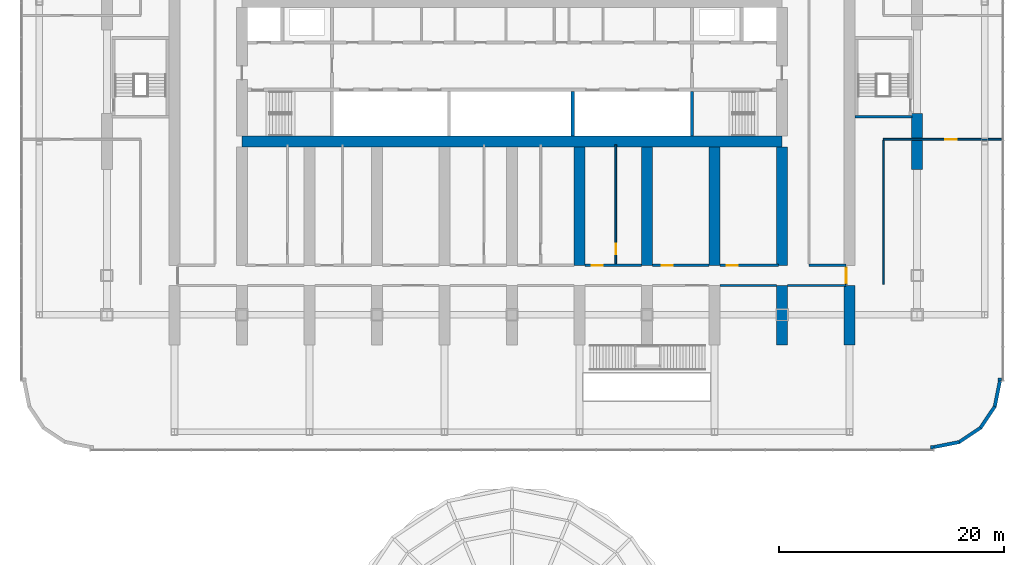
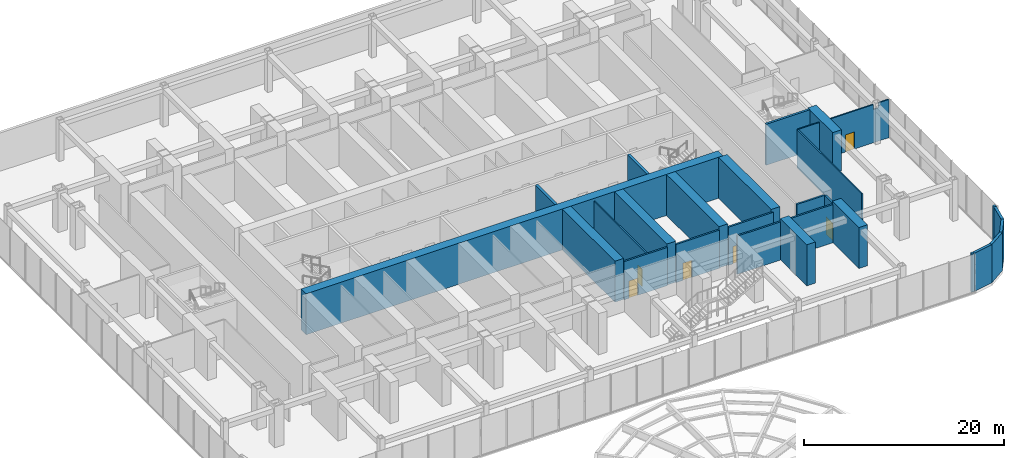
# One storey, part 15 of 37: 27 walls, 6 doors, 6 openings.
"""IFC4 building model written with IfcOpenShell, lengths in metres."""

from ifc_helpers import new_model, si_unit, direction, frame, frame_2d, origin, place, context, subcontext, project, spatial, polyline, rectangle, outline, extrude, material, layer, layer_set, type_object, element, fill, save


model = new_model("IFC4")

# Units and contexts
model_context = context("Model", 3, precision=1e-05, world=origin(), true_north=direction((0.0, 1.0)))
body_context = subcontext(model_context, "Body", "Model", "MODEL_VIEW")
ifc_project = project(units=[si_unit("LENGTHUNIT", "METRE"), si_unit("AREAUNIT", "SQUARE_METRE"), si_unit("VOLUMEUNIT", "CUBIC_METRE"), si_unit("PLANEANGLEUNIT", "RADIAN"), si_unit("MASSUNIT", "GRAM", prefix="KILO")], contexts=[model_context])

# Site, building, storey
site_placement = place(None, origin())
site = spatial("IfcSite", under=ifc_project, at=site_placement, CompositionType="ELEMENT")
building_placement = place(site_placement, origin())
building = spatial("IfcBuilding", under=site, at=building_placement, Name="Orbita Commons", CompositionType="ELEMENT")
storey_placement = place(building_placement, frame((0.0, 0.0, 6.0)))
storey = spatial("IfcBuildingStorey", under=building, at=storey_placement, Name="L01", CompositionType="ELEMENT", Elevation=6.0)

# Walls
ifc_material_1 = material(Name="Concrete C50/60", Category="concrete")
ifc_layer_1 = layer(ifc_material_1, 0.300048828125)
ifc_layer_set_1 = layer_set([ifc_layer_1], Name="Concrete C50/60")
wall_type_1 = type_object("IfcWallType", Name="Core inner wall 300 C50/60", PredefinedType="SHEAR", material=ifc_layer_set_1)
for number, where, z_axis, x_axis, name in (
    (1, (58.0, 26.300048828125, 0.0), (0.0, 0.0, 1.0), (0.0, 1.0, 0.0), "Stair S2 wall L01"),
    (2, (47.39990234375, 26.300048828125, 0.0), (0.0, 0.0, 1.0), (0.0, 1.0, 0.0), "Hoistway division wall L01"),
):
    element("IfcWall", number, at=place(storey_placement, frame(where, z_axis=z_axis, x_axis=x_axis)), inside=storey, type_object=wall_type_1, Name=name, PredefinedType="SHEAR", context=body_context, shape_type="SweptSolid", body=[
        extrude(rectangle(XDim=3.949951171875, YDim=0.300048828125, at=frame_2d((1.97509765625, 0.0))), origin(), (0.0, 0.0, 1.0), 5.0),
    ])
ifc_material_2 = material(Name="Concrete C50/60", Category="concrete")
ifc_layer_2 = layer(ifc_material_2, 1.0)
ifc_layer_set_2 = layer_set([ifc_layer_2], Name="Concrete C50/60")
wall_type_2 = type_object("IfcWallType", Name="Core wall 1000 C50/60", PredefinedType="SHEAR", material=ifc_layer_set_2)
wall_1_placement = place(storey_placement, frame((18.0, 25.800048828125, 0.0), z_axis=(0.0, 0.0, 1.0), x_axis=(1.0, 0.0, 0.0)))
element("IfcWall", 3, at=wall_1_placement, inside=storey, type_object=wall_type_2, Name="Core spine wall south L01", PredefinedType="SHEAR", context=body_context, shape_type="SweptSolid", body=[
    extrude(rectangle(XDim=48.0, YDim=1.0, at=frame_2d((24.0, 0.0))), origin(), (0.0, 0.0, 1.0), 5.0),
])
ifc_material_3 = material(Name="Concrete blockwork", Category="masonry")
ifc_layer_3 = layer(ifc_material_3, 0.199951171875)
ifc_layer_set_3 = layer_set([ifc_layer_3], Name="Concrete blockwork")
wall_type_3 = type_object("IfcWallType", Name="Corridor wall 200 blockwork", PredefinedType="SOLIDWALL", material=ifc_layer_set_3)
wall_2_placement = place(storey_placement, frame((60.5, 13.0, 0.0), z_axis=(0.0, 0.0, 1.0), x_axis=(1.0, 0.0, 0.0)))
element("IfcWall", 4, at=wall_2_placement, inside=storey, type_object=wall_type_3, Name="Corridor wall 200 blockwork L01", PredefinedType="SOLIDWALL", context=body_context, shape_type="SweptSolid", body=[
    extrude(rectangle(XDim=5.0, YDim=0.199951171875, at=frame_2d((2.5, 0.0))), origin(), (0.0, 0.0, 1.0), 4.64990234375),
])
wall_3_placement = place(storey_placement, frame((66.5, 13.0, 0.0), z_axis=(0.0, 0.0, 1.0), x_axis=(1.0, 0.0, 0.0)))
element("IfcWall", 5, at=wall_3_placement, inside=storey, type_object=wall_type_3, Name="Corridor wall 200 blockwork L01", PredefinedType="SOLIDWALL", context=body_context, shape_type="SweptSolid", body=[
    extrude(rectangle(XDim=5.199951171875, YDim=0.199951171875, at=frame_2d((2.60009765625, 0.0))), origin(), (0.0, 0.0, 1.0), 4.64990234375),
])
wall_4_placement = place(storey_placement, frame((68.39990234375, 14.800048828125, 0.0), z_axis=(0.0, 0.0, 1.0), x_axis=(1.0, 0.0, 0.0)))
element("IfcWall", 6, at=wall_4_placement, inside=storey, type_object=wall_type_3, Name="Corridor wall 200 blockwork L01", PredefinedType="SOLIDWALL", context=body_context, shape_type="SweptSolid", body=[
    extrude(rectangle(XDim=3.300048828125, YDim=0.199951171875, at=frame_2d((1.64990234375, 0.0))), origin(), (0.0, 0.0, 1.0), 4.64990234375),
])

# Wall, opening, door
wall_5_placement = place(storey_placement, frame((48.5, 14.800048828125, 0.0), z_axis=(0.0, 0.0, 1.0), x_axis=(1.0, 0.0, 0.0)))
wall_5 = element("IfcWall", 7, at=wall_5_placement, inside=storey, type_object=wall_type_3, Name="Corridor wall 200 blockwork L01", PredefinedType="SOLIDWALL", context=body_context, shape_type="SweptSolid", body=[
    extrude(rectangle(XDim=5.0, YDim=0.199951171875, at=frame_2d((2.5, 0.0))), origin(), (0.0, 0.0, 1.0), 4.64990234375),
])
opening_1_placement = place(wall_5_placement, frame((0.574951171875, 0.0, 0.0)))
opening_1 = element("IfcOpeningElement", 8, at=opening_1_placement, cuts=wall_5, Name="Opening D06", PredefinedType="OPENING", context=body_context, shape_type="SweptSolid", body=[
    extrude(rectangle(XDim=1.0, YDim=2.10009765625, at=frame_2d((0.5, 1.050048828125))), frame((0.0, 0.10986328125, 0.0), z_axis=(0.0, -1.0, 0.0), x_axis=(1.0, 0.0, 0.0)), (0.0, 0.0, 1.0), 0.219970703125),
])
ifc_material_4 = material(Name="Steel-faced fire door leaf", Category="steel")
door_type_1 = type_object("IfcDoorType", Name="Corridor door 20 min 1000x2100", OperationType="SINGLE_SWING_LEFT", PredefinedType="DOOR", material=ifc_material_4)
door_1_placement = place(opening_1_placement, origin())
door_1 = element("IfcDoor", 9, at=door_1_placement, inside=storey, type_object=door_type_1, Name="Room door", OperationType="SINGLE_SWING_LEFT", OverallHeight=2.10009765625, OverallWidth=1.0, PredefinedType="DOOR", context=body_context, shape_type="SweptSolid", body=[
    extrude(rectangle(XDim=1.0, YDim=2.10009765625, at=frame_2d((0.5, 1.050048828125))), frame((0.0, 0.02490234375, 0.0), z_axis=(0.0, -1.0, 0.0), x_axis=(1.0, 0.0, 0.0)), (0.0, 0.0, 1.0), 0.050048828125),
])
fill(opening_1, door_1)

wall_6_placement = place(storey_placement, frame((54.5, 14.800048828125, 0.0), z_axis=(0.0, 0.0, 1.0), x_axis=(1.0, 0.0, 0.0)))
wall_6 = element("IfcWall", 10, at=wall_6_placement, inside=storey, type_object=wall_type_3, Name="Corridor wall 200 blockwork L01", PredefinedType="SOLIDWALL", context=body_context, shape_type="SweptSolid", body=[
    extrude(rectangle(XDim=5.0, YDim=0.199951171875, at=frame_2d((2.5, 0.0))), origin(), (0.0, 0.0, 1.0), 4.64990234375),
])
opening_2_placement = place(wall_6_placement, frame((0.800048828125, 0.0, 0.0)))
opening_2 = element("IfcOpeningElement", 11, at=opening_2_placement, cuts=wall_6, Name="Opening D06", PredefinedType="OPENING", context=body_context, shape_type="SweptSolid", body=[
    extrude(rectangle(XDim=1.0, YDim=2.10009765625, at=frame_2d((0.5, 1.050048828125))), frame((0.0, 0.10986328125, 0.0), z_axis=(0.0, -1.0, 0.0), x_axis=(1.0, 0.0, 0.0)), (0.0, 0.0, 1.0), 0.219970703125),
])
door_2_placement = place(opening_2_placement, origin())
door_2 = element("IfcDoor", 12, at=door_2_placement, inside=storey, type_object=door_type_1, Name="Room door", OperationType="SINGLE_SWING_LEFT", OverallHeight=2.10009765625, OverallWidth=1.0, PredefinedType="DOOR", context=body_context, shape_type="SweptSolid", body=[
    extrude(rectangle(XDim=1.0, YDim=2.10009765625, at=frame_2d((0.5, 1.050048828125))), frame((0.0, 0.02490234375, 0.0), z_axis=(0.0, -1.0, 0.0), x_axis=(1.0, 0.0, 0.0)), (0.0, 0.0, 1.0), 0.050048828125),
])
fill(opening_2, door_2)

wall_7_placement = place(storey_placement, frame((60.5, 14.800048828125, 0.0), z_axis=(0.0, 0.0, 1.0), x_axis=(1.0, 0.0, 0.0)))
wall_7 = element("IfcWall", 13, at=wall_7_placement, inside=storey, type_object=wall_type_3, Name="Corridor wall 200 blockwork L01", PredefinedType="SOLIDWALL", context=body_context, shape_type="SweptSolid", body=[
    extrude(rectangle(XDim=5.199951171875, YDim=0.199951171875, at=frame_2d((2.60009765625, 0.0))), origin(), (0.0, 0.0, 1.0), 4.64990234375),
])
opening_3_placement = place(wall_7_placement, frame((0.574951171875, 0.0, 0.0)))
opening_3 = element("IfcOpeningElement", 14, at=opening_3_placement, cuts=wall_7, Name="Opening D06", PredefinedType="OPENING", context=body_context, shape_type="SweptSolid", body=[
    extrude(rectangle(XDim=1.0, YDim=2.10009765625, at=frame_2d((0.5, 1.050048828125))), frame((0.0, 0.10986328125, 0.0), z_axis=(0.0, -1.0, 0.0), x_axis=(1.0, 0.0, 0.0)), (0.0, 0.0, 1.0), 0.219970703125),
])
door_3_placement = place(opening_3_placement, origin())
door_3 = element("IfcDoor", 15, at=door_3_placement, inside=storey, type_object=door_type_1, Name="Room door", OperationType="SINGLE_SWING_LEFT", OverallHeight=2.10009765625, OverallWidth=1.0, PredefinedType="DOOR", context=body_context, shape_type="SweptSolid", body=[
    extrude(rectangle(XDim=1.0, YDim=2.10009765625, at=frame_2d((0.5, 1.050048828125))), frame((0.0, 0.02490234375, 0.0), z_axis=(0.0, -1.0, 0.0), x_axis=(1.0, 0.0, 0.0)), (0.0, 0.0, 1.0), 0.050048828125),
])
fill(opening_3, door_3)

wall_8_placement = place(storey_placement, frame((71.699951171875, 13.10009765625, 0.0), z_axis=(0.0, 0.0, 1.0), x_axis=(0.0, 1.0, 0.0)))
wall_8 = element("IfcWall", 16, at=wall_8_placement, inside=storey, type_object=wall_type_3, Name="Corridor wall 200 blockwork L01", PredefinedType="SOLIDWALL", context=body_context, shape_type="SweptSolid", body=[
    extrude(rectangle(XDim=1.599853515625, YDim=0.199951171875, at=frame_2d((0.7998046875, 0.0))), origin(), (0.0, 0.0, 1.0), 4.64990234375),
])
opening_4_placement = place(wall_8_placement, frame((0.10009765625, 0.0, 0.0)))
opening_4 = element("IfcOpeningElement", 17, at=opening_4_placement, cuts=wall_8, Name="Opening D08", PredefinedType="OPENING", context=body_context, shape_type="SweptSolid", body=[
    extrude(rectangle(XDim=1.39990234375, YDim=2.10009765625, at=frame_2d((0.699951171875, 1.050048828125))), frame((0.0, 0.10986328125, 0.0), z_axis=(0.0, -1.0, 0.0), x_axis=(1.0, 0.0, 0.0)), (0.0, 0.0, 1.0), 0.219970703125),
])
ifc_material_5 = material(Name="Steel-faced fire door leaf", Category="steel")
door_type_2 = type_object("IfcDoorType", Name="Double corridor door 20 min 1400x2100", OperationType="DOUBLE_DOOR_SINGLE_SWING", PredefinedType="DOOR", material=ifc_material_5)
door_4_placement = place(opening_4_placement, origin())
door_4 = element("IfcDoor", 18, at=door_4_placement, inside=storey, type_object=door_type_2, Name="End room doors", OperationType="DOUBLE_DOOR_SINGLE_SWING", OverallHeight=2.10009765625, OverallWidth=1.39990234375, PredefinedType="DOOR", context=body_context, shape_type="SweptSolid", body=[
    extrude(rectangle(XDim=1.39990234375, YDim=2.10009765625, at=frame_2d((0.699951171875, 1.050048828125))), frame((0.0, 0.02490234375, 0.0), z_axis=(0.0, -1.0, 0.0), x_axis=(1.0, 0.0, 0.0)), (0.0, 0.0, 1.0), 0.050048828125),
])
fill(opening_4, door_4)

# Walls
ifc_material_6 = material(Name="Concrete C50/60", Category="concrete")
ifc_layer_4 = layer(ifc_material_6, 1.0)
ifc_layer_set_4 = layer_set([ifc_layer_4], Name="Concrete C50/60")
wall_type_4 = type_object("IfcWallType", Name="Cross wall 1000 C50/60", PredefinedType="SHEAR", material=ifc_layer_set_4)
for number, where, z_axis, x_axis, name in (
    (19, (48.0, 14.800048828125, 0.0), (0.0, 0.0, 1.0), (0.0, 1.0, 0.0), "Cross wall 9 south inner L01"),
    (20, (54.0, 14.800048828125, 0.0), (0.0, 0.0, 1.0), (0.0, 1.0, 0.0), "Cross wall 10 south inner L01"),
    (21, (60.0, 14.800048828125, 0.0), (0.0, 0.0, 1.0), (0.0, 1.0, 0.0), "Cross wall 11 south inner L01"),
):
    element("IfcWall", number, at=place(storey_placement, frame(where, z_axis=z_axis, x_axis=x_axis)), inside=storey, type_object=wall_type_4, Name=name, PredefinedType="SHEAR", context=body_context, shape_type="SweptSolid", body=[
        extrude(rectangle(XDim=10.5, YDim=1.0, at=frame_2d((5.25, 0.0))), origin(), (0.0, 0.0, 1.0), 5.0),
    ])
wall_9_placement = place(storey_placement, frame((66.0, 7.699951171875, 0.0), z_axis=(0.0, 0.0, 1.0), x_axis=(0.0, 1.0, 0.0)))
element("IfcWall", 22, at=wall_9_placement, inside=storey, type_object=wall_type_4, Name="Cross wall 12 south outer L01", PredefinedType="SHEAR", context=body_context, shape_type="SweptSolid", body=[
    extrude(rectangle(XDim=5.300048828125, YDim=1.0, at=frame_2d((2.64990234375, 0.0))), origin(), (0.0, 0.0, 1.0), 5.0),
])
wall_10_placement = place(storey_placement, frame((66.0, 14.800048828125, 0.0), z_axis=(0.0, 0.0, 1.0), x_axis=(0.0, 1.0, 0.0)))
element("IfcWall", 23, at=wall_10_placement, inside=storey, type_object=wall_type_4, Name="Cross wall 12 south inner L01", PredefinedType="SHEAR", context=body_context, shape_type="SweptSolid", body=[
    extrude(rectangle(XDim=10.5, YDim=1.0, at=frame_2d((5.25, 0.0))), origin(), (0.0, 0.0, 1.0), 5.0),
])
wall_11_placement = place(storey_placement, frame((72.0, 7.699951171875, 0.0), z_axis=(0.0, 0.0, 1.0), x_axis=(0.0, 1.0, 0.0)))
element("IfcWall", 24, at=wall_11_placement, inside=storey, type_object=wall_type_4, Name="Cross wall 13 south outer L01", PredefinedType="SHEAR", context=body_context, shape_type="SweptSolid", body=[
    extrude(rectangle(XDim=5.300048828125, YDim=1.0, at=frame_2d((2.64990234375, 0.0))), origin(), (0.0, 0.0, 1.0), 5.0),
])
ifc_material_7 = material(Name="Concrete C50/60", Category="concrete")
ifc_layer_5 = layer(ifc_material_7, 1.0)
ifc_layer_set_5 = layer_set([ifc_layer_5], Name="Concrete C50/60")
wall_type_5 = type_object("IfcWallType", Name="End pier 1000x5000 C50/60", PredefinedType="SHEAR", material=ifc_layer_set_5)
wall_12_placement = place(storey_placement, frame((78.0, 23.300048828125, 0.0), z_axis=(0.0, 0.0, 1.0), x_axis=(0.0, 1.0, 0.0)))
element("IfcWall", 25, at=wall_12_placement, inside=storey, type_object=wall_type_5, Name="End pier 14/C L01", PredefinedType="SHEAR", context=body_context, shape_type="SweptSolid", body=[
    extrude(rectangle(XDim=5.0, YDim=1.0, at=frame_2d((2.5, 0.0))), origin(), (0.0, 0.0, 1.0), 5.0),
])

# Wall, opening, door
ifc_material_8 = material(Name="Gypsum plasterboard on steel studs", Category="steel")
ifc_layer_6 = layer(ifc_material_8, 0.14990234375)
ifc_layer_set_6 = layer_set([ifc_layer_6], Name="Gypsum plasterboard on steel studs")
wall_type_6 = type_object("IfcWallType", Name="Partition 150 plasterboard", PredefinedType="PARTITIONING", material=ifc_layer_set_6)
wall_13_placement = place(storey_placement, frame((51.22509765625, 14.800048828125, 0.0), z_axis=(0.0, 0.0, 1.0), x_axis=(0.0, 1.0, 0.0)))
wall_13 = element("IfcWall", 26, at=wall_13_placement, inside=storey, type_object=wall_type_6, Name="Partition 150 plasterboard L01", PredefinedType="PARTITIONING", context=body_context, shape_type="SweptSolid", body=[
    extrude(rectangle(XDim=10.699951171875, YDim=0.14990234375, at=frame_2d((5.35009765625, 0.0))), origin(), (0.0, 0.0, 1.0), 4.64990234375),
])
opening_5_placement = place(wall_13_placement, frame((1.0, 0.0, 0.0)))
opening_5 = element("IfcOpeningElement", 27, at=opening_5_placement, cuts=wall_13, Name="Opening D09", PredefinedType="OPENING", context=body_context, shape_type="SweptSolid", body=[
    extrude(rectangle(XDim=0.89990234375, YDim=2.10009765625, at=frame_2d((0.449951171875, 1.050048828125))), frame((0.0, 0.0849609375, 0.0), z_axis=(0.0, -1.0, 0.0), x_axis=(1.0, 0.0, 0.0)), (0.0, 0.0, 1.0), 0.169921875),
])
ifc_material_9 = material(Name="Laminated timber door leaf", Category="wood")
door_type_3 = type_object("IfcDoorType", Name="En-suite door 900x2100", OperationType="SINGLE_SWING_RIGHT", PredefinedType="DOOR", material=ifc_material_9)
door_5_placement = place(opening_5_placement, origin())
door_5 = element("IfcDoor", 28, at=door_5_placement, inside=storey, type_object=door_type_3, Name="Student union store L01 door", OperationType="SINGLE_SWING_RIGHT", OverallHeight=2.10009765625, OverallWidth=0.89990234375, PredefinedType="DOOR", context=body_context, shape_type="SweptSolid", body=[
    extrude(rectangle(XDim=0.89990234375, YDim=2.10009765625, at=frame_2d((0.449951171875, 1.050048828125))), frame((0.0, 0.02490234375, 0.0), z_axis=(0.0, -1.0, 0.0), x_axis=(1.0, 0.0, 0.0)), (0.0, 0.0, 1.0), 0.050048828125),
])
fill(opening_5, door_5)

wall_14_placement = place(storey_placement, frame((75.0, 26.0, 0.0), z_axis=(0.0, 0.0, 1.0), x_axis=(1.0, 0.0, 0.0)))
wall_14 = element("IfcWall", 29, at=wall_14_placement, inside=storey, type_object=wall_type_6, Name="Partition 150 plasterboard L01", PredefinedType="PARTITIONING", context=body_context, shape_type="SweptSolid", body=[
    extrude(outline(polyline([(0.0, 0.0), (10.489990234375, 0.0), (10.489990234375, 4.64990234375), (9.302001953125, 4.64990234375), (9.300048828125, 4.050048828125), (8.701904296875, 4.050048828125), (8.699951171875, 4.64990234375), (0.0, 4.64990234375), (0.0, 0.0)])), frame((0.0, 0.074951171875, 0.0), z_axis=(0.0, -1.0, 0.0), x_axis=(1.0, 0.0, 0.0)), (0.0, 0.0, 1.0), 0.14990234375),
])
opening_6_placement = place(wall_14_placement, frame((5.5, 0.0, 0.0)))
opening_6 = element("IfcOpeningElement", 30, at=opening_6_placement, cuts=wall_14, Name="Opening D06", PredefinedType="OPENING", context=body_context, shape_type="SweptSolid", body=[
    extrude(rectangle(XDim=1.0, YDim=2.10009765625, at=frame_2d((0.5, 1.050048828125))), frame((0.0, 0.0849609375, 0.0), z_axis=(0.0, -1.0, 0.0), x_axis=(1.0, 0.0, 0.0)), (0.0, 0.0, 1.0), 0.169921875),
])
door_6_placement = place(opening_6_placement, origin())
door_6 = element("IfcDoor", 31, at=door_6_placement, inside=storey, type_object=door_type_1, Name="Physiotherapy suite door", OperationType="SINGLE_SWING_LEFT", OverallHeight=2.10009765625, OverallWidth=1.0, PredefinedType="DOOR", context=body_context, shape_type="SweptSolid", body=[
    extrude(rectangle(XDim=1.0, YDim=2.10009765625, at=frame_2d((0.5, 1.050048828125))), frame((0.0, 0.02490234375, 0.0), z_axis=(0.0, -1.0, 0.0), x_axis=(1.0, 0.0, 0.0)), (0.0, 0.0, 1.0), 0.050048828125),
])
fill(opening_6, door_6)

# Walls
wall_15_placement = place(storey_placement, frame((75.0, 13.10009765625, 0.0), z_axis=(0.0, 0.0, 1.0), x_axis=(0.0, 1.0, 0.0)))
element("IfcWall", 32, at=wall_15_placement, inside=storey, type_object=wall_type_6, Name="Partition 150 plasterboard L01", PredefinedType="PARTITIONING", context=body_context, shape_type="SweptSolid", body=[
    extrude(rectangle(XDim=12.824951171875, YDim=0.14990234375, at=frame_2d((6.41259765625, 0.0))), origin(), (0.0, 0.0, 1.0), 4.64990234375),
])
ifc_material_10 = material(Name="Concrete C50/60", Category="concrete")
ifc_layer_7 = layer(ifc_material_10, 0.25)
ifc_layer_set_7 = layer_set([ifc_layer_7], Name="Concrete C50/60")
wall_type_7 = type_object("IfcWallType", Name="Podium stair wall 250 RC", PredefinedType="SHEAR", material=ifc_layer_set_7)
wall_16_placement = place(storey_placement, frame((72.47509765625, 28.0, 0.0), z_axis=(0.0, 0.0, 1.0), x_axis=(1.0, 0.0, 0.0)))
element("IfcWall", 33, at=wall_16_placement, inside=storey, type_object=wall_type_7, Name="Podium stair PS2 wall s L01", PredefinedType="SHEAR", context=body_context, shape_type="SweptSolid", body=[
    extrude(rectangle(XDim=5.0498046875, YDim=0.25, at=frame_2d((2.52490234375, 0.0))), origin(), (0.0, 0.0, 1.0), 5.0),
])
ifc_material_11 = material(Name="Precast concrete C40/50, white board-marked finish", Category="concrete")
ifc_layer_8 = layer(ifc_material_11, 0.300048828125)
ifc_layer_set_8 = layer_set([ifc_layer_8], Name="Precast concrete C40/50, white board-marked finish")
wall_type_8 = type_object("IfcWallType", Name="Precast concrete end shield 300", PredefinedType="SOLIDWALL", material=ifc_layer_set_8)
wall_17_placement = place(storey_placement, frame((79.5, -1.35009765625, 0.0), z_axis=(0.0, 0.0, 1.0), x_axis=(0.98078582086, 0.195087604935, 0.0)))
element("IfcWall", 34, at=wall_17_placement, inside=storey, type_object=wall_type_8, Name="Podium corner wall SE 1 L01", PredefinedType="SOLIDWALL", context=body_context, shape_type="SweptSolid", body=[
    extrude(outline(polyline([(-0.02978515625, -0.14990234375), (2.3125, -0.14990234375), (2.2529296875, 0.14990234375), (0.02978515625, 0.14990234375), (-0.02978515625, -0.14990234375)])), origin(), (0.0, 0.0, 1.0), 4.64990234375),
])
for number, where, z_axis, x_axis, name in (
    (35, (81.73876953125, -0.90478515625, 0.0), (0.0, 0.0, 1.0), (0.831490399244, 0.555539121903, 0.0), "Podium corner wall SE 2 L01"),
    (36, (83.63671875, 0.36328125, 0.0), (0.0, 0.0, 1.0), (0.555539121903, 0.831490399244, 0.0), "Podium corner wall SE 3 L01"),
):
    element("IfcWall", number, at=place(storey_placement, frame(where, z_axis=z_axis, x_axis=x_axis)), inside=storey, type_object=wall_type_8, Name=name, PredefinedType="SOLIDWALL", context=body_context, shape_type="SweptSolid", body=[
        extrude(outline(polyline([(-0.02978515625, -0.14990234375), (2.312255859375, -0.14990234375), (2.252685546875, 0.14990234375), (0.02978515625, 0.14990234375), (-0.02978515625, -0.14990234375)])), origin(), (0.0, 0.0, 1.0), 4.64990234375),
    ])
wall_18_placement = place(storey_placement, frame((84.90478515625, 2.26123046875, 0.0), z_axis=(0.0, 0.0, 1.0), x_axis=(0.195087604935, 0.98078582086, 0.0)))
element("IfcWall", 37, at=wall_18_placement, inside=storey, type_object=wall_type_8, Name="Podium corner wall SE 4 L01", PredefinedType="SOLIDWALL", context=body_context, shape_type="SweptSolid", body=[
    extrude(outline(polyline([(-0.02978515625, -0.14990234375), (2.297607421875, -0.14990234375), (2.267822265625, 0.14990234375), (0.02978515625, 0.14990234375), (-0.02978515625, -0.14990234375)])), origin(), (0.0, 0.0, 1.0), 4.64990234375),
])
for number, where, z_axis, x_axis, name in (
    (38, (79.5, -1.35009765625, 0.0), (0.0, 0.0, 1.0), (-1.0, 0.0, 0.0), "Podium corner wall jamb S1 L01"),
    (39, (85.35009765625, 4.5, 0.0), (0.0, 0.0, 1.0), (0.0, 1.0, 0.0), "Podium corner wall jamb E1 L01"),
):
    element("IfcWall", number, at=place(storey_placement, frame(where, z_axis=z_axis, x_axis=x_axis)), inside=storey, type_object=wall_type_8, Name=name, PredefinedType="SOLIDWALL", context=body_context, shape_type="SweptSolid", body=[
        extrude(rectangle(XDim=0.300048828125, YDim=0.300048828125, at=frame_2d((0.14990234375, 0.0))), origin(), (0.0, 0.0, 1.0), 4.64990234375),
    ])

save(model, "model.ifc")
